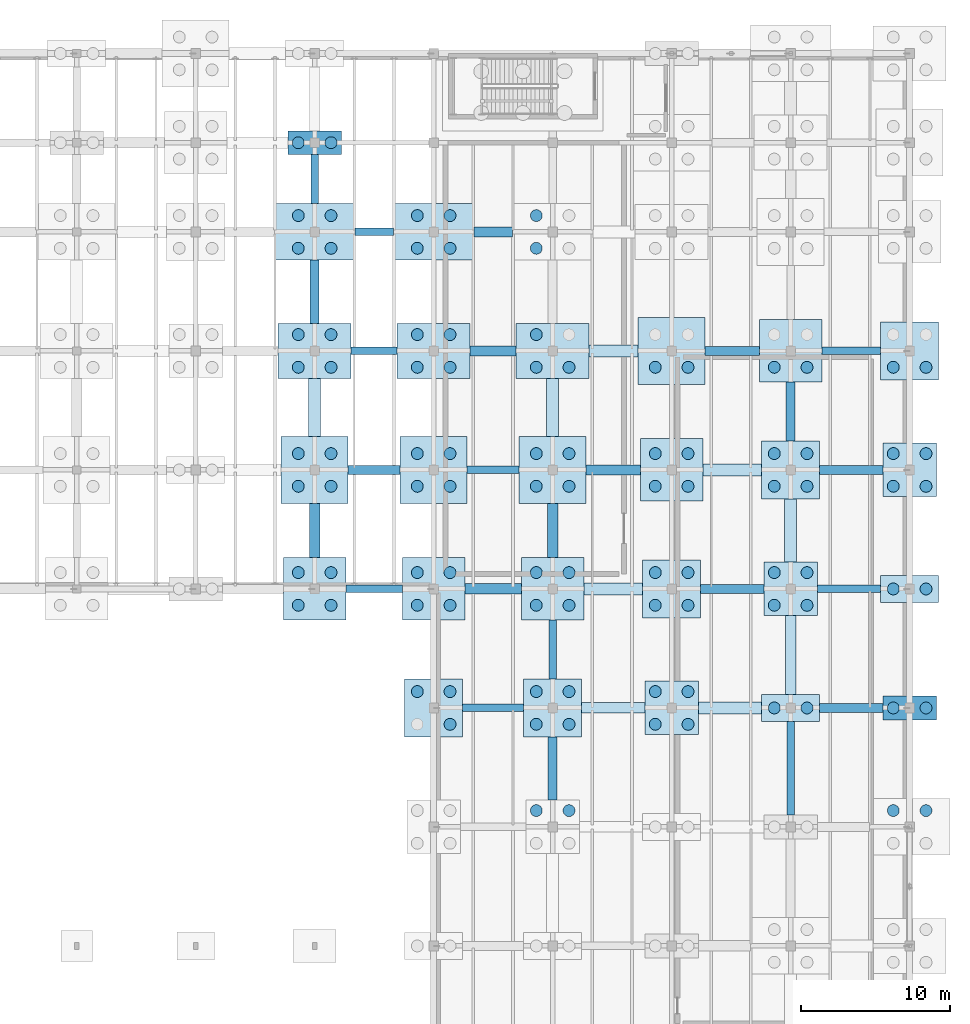
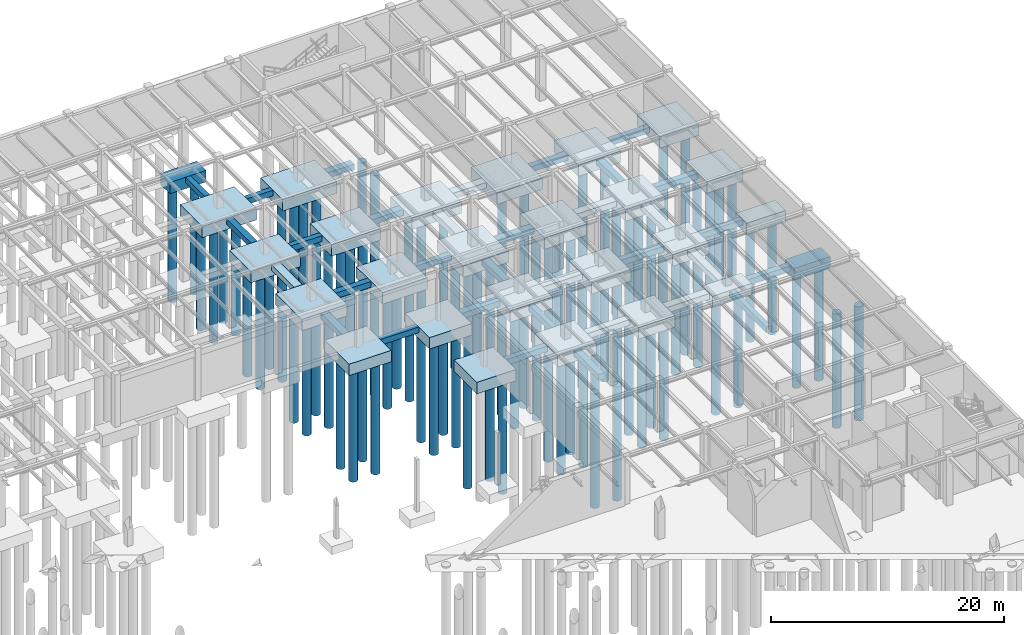
# One storey, part 9 of 71: 94 piles, 59 footings.
"""IFC4 building model written with IfcOpenShell, lengths in metres."""

from ifc_helpers import new_model, si_unit, direction, frame, origin, origin_2d, place, context, subcontext, project, spatial, rectangle, circle, extrude, material, material_profile, profile_set, type_object, element, save


model = new_model("IFC4")

# Units and contexts
model_context = context("Model", 3, precision=1e-05, world=origin(), true_north=direction((0.0, 1.0)))
body_context = subcontext(model_context, "Body", "Model", "MODEL_VIEW")
ifc_project = project(units=[si_unit("LENGTHUNIT", "METRE"), si_unit("AREAUNIT", "SQUARE_METRE"), si_unit("VOLUMEUNIT", "CUBIC_METRE"), si_unit("PLANEANGLEUNIT", "RADIAN"), si_unit("MASSUNIT", "GRAM", prefix="KILO")], contexts=[model_context])

# Site, building, storey
site_placement = place(None, origin())
site = spatial("IfcSite", under=ifc_project, at=site_placement, CompositionType="ELEMENT")
building_placement = place(site_placement, origin())
building = spatial("IfcBuilding", under=site, at=building_placement, Name="Sundkrona Museum", CompositionType="ELEMENT")
storey_placement = place(building_placement, frame((0.0, 0.0, -5.39990234375)))
storey = spatial("IfcBuildingStorey", under=building, at=storey_placement, Name="B1", CompositionType="ELEMENT", Elevation=-5.39990234375)

# Footings
ifc_material = material(Name="Concrete C40/50", Category="concrete")
footing_type_1 = type_object("IfcFootingType", Name="GB-500", PredefinedType="FOOTING_BEAM", material=ifc_material)
footing_1_placement = place(storey_placement, frame((140.0, 70.0, -0.7001953125), z_axis=(0.0, 0.0, 1.0), x_axis=(1.0, 0.0, 0.0)))
element("IfcFooting", 1, at=footing_1_placement, inside=storey, type_object=footing_type_1, Name="Ground Tie Beam GB-X-086", PredefinedType="FOOTING_BEAM", context=body_context, shape_type="SweptSolid", body=[
    extrude(rectangle(XDim=4.10009765625, YDim=0.5, at=origin_2d()), origin(), (0.0, 0.0, 1.0), 0.60009765625),
])
footing_2_placement = place(storey_placement, frame((132.0, 78.0, -0.7001953125), z_axis=(0.0, 0.0, 1.0), x_axis=(1.0, 0.0, 0.0)))
element("IfcFooting", 2, at=footing_2_placement, inside=storey, type_object=footing_type_1, Name="Ground Tie Beam GB-X-106", PredefinedType="FOOTING_BEAM", context=body_context, shape_type="SweptSolid", body=[
    extrude(rectangle(XDim=3.800048828125, YDim=0.5, at=origin_2d()), origin(), (0.0, 0.0, 1.0), 0.60009765625),
])
footing_3_placement = place(storey_placement, frame((163.925048828125, 78.0, -0.7001953125), z_axis=(0.0, 0.0, 1.0), x_axis=(1.0, 0.0, 0.0)))
element("IfcFooting", 3, at=footing_3_placement, inside=storey, type_object=footing_type_1, Name="Ground Tie Beam GB-X-110", PredefinedType="FOOTING_BEAM", context=body_context, shape_type="SweptSolid", body=[
    extrude(rectangle(XDim=4.25, YDim=0.5, at=origin_2d()), origin(), (0.0, 0.0, 1.0), 0.60009765625),
])
footing_4_placement = place(storey_placement, frame((140.0, 86.0, -0.7001953125), z_axis=(0.0, 0.0, 1.0), x_axis=(1.0, 0.0, 0.0)))
element("IfcFooting", 4, at=footing_4_placement, inside=storey, type_object=footing_type_1, Name="Ground Tie Beam GB-X-126", PredefinedType="FOOTING_BEAM", context=body_context, shape_type="SweptSolid", body=[
    extrude(rectangle(XDim=3.5, YDim=0.5, at=origin_2d()), origin(), (0.0, 0.0, 1.0), 0.60009765625),
])
footing_5_placement = place(storey_placement, frame((132.0, 94.0, -0.7001953125), z_axis=(0.0, 0.0, 1.0), x_axis=(1.0, 0.0, 0.0)))
element("IfcFooting", 5, at=footing_5_placement, inside=storey, type_object=footing_type_1, Name="Ground Tie Beam GB-X-146", PredefinedType="FOOTING_BEAM", context=body_context, shape_type="SweptSolid", body=[
    extrude(rectangle(XDim=3.10009765625, YDim=0.5, at=origin_2d()), origin(), (0.0, 0.0, 1.0), 0.60009765625),
])
footing_6_placement = place(storey_placement, frame((164.074951171875, 94.0, -0.7001953125), z_axis=(0.0, 0.0, 1.0), x_axis=(1.0, 0.0, 0.0)))
element("IfcFooting", 6, at=footing_6_placement, inside=storey, type_object=footing_type_1, Name="Ground Tie Beam GB-X-150", PredefinedType="FOOTING_BEAM", context=body_context, shape_type="SweptSolid", body=[
    extrude(rectangle(XDim=3.949951171875, YDim=0.5, at=origin_2d()), origin(), (0.0, 0.0, 1.0), 0.60009765625),
])
footing_7_placement = place(storey_placement, frame((132.0, 102.0, -0.7001953125), z_axis=(0.0, 0.0, 1.0), x_axis=(1.0, 0.0, 0.0)))
element("IfcFooting", 7, at=footing_7_placement, inside=storey, type_object=footing_type_1, Name="Ground Tie Beam GB-X-166", PredefinedType="FOOTING_BEAM", context=body_context, shape_type="SweptSolid", body=[
    extrude(rectangle(XDim=2.60009765625, YDim=0.5, at=origin_2d()), origin(), (0.0, 0.0, 1.0), 0.60009765625),
])
footing_8_placement = place(storey_placement, frame((128.0, 105.550048828125, -0.7001953125), z_axis=(0.0, 0.0, 1.0), x_axis=(0.0, 1.0, 0.0)))
element("IfcFooting", 8, at=footing_8_placement, inside=storey, type_object=footing_type_1, Name="Ground Tie Beam GB-Y-266", PredefinedType="FOOTING_BEAM", context=body_context, shape_type="SweptSolid", body=[
    extrude(rectangle(XDim=3.300048828125, YDim=0.5, at=origin_2d()), origin(), (0.0, 0.0, 1.0), 0.60009765625),
])
footing_9_placement = place(storey_placement, frame((144.0, 73.925048828125, -0.7001953125), z_axis=(0.0, 0.0, 1.0), x_axis=(0.0, 1.0, 0.0)))
element("IfcFooting", 9, at=footing_9_placement, inside=storey, type_object=footing_type_1, Name="Ground Tie Beam GB-Y-274", PredefinedType="FOOTING_BEAM", context=body_context, shape_type="SweptSolid", body=[
    extrude(rectangle(XDim=3.949951171875, YDim=0.5, at=origin_2d()), origin(), (0.0, 0.0, 1.0), 0.60009765625),
])
footing_10_placement = place(storey_placement, frame((160.0, 65.949951171875, -0.7001953125), z_axis=(0.0, 0.0, 1.0), x_axis=(0.0, 1.0, 0.0)))
element("IfcFooting", 10, at=footing_10_placement, inside=storey, type_object=footing_type_1, Name="Ground Tie Beam GB-Y-286", PredefinedType="FOOTING_BEAM", context=body_context, shape_type="SweptSolid", body=[
    extrude(rectangle(XDim=6.300048828125, YDim=0.5, at=origin_2d()), origin(), (0.0, 0.0, 1.0), 0.60009765625),
])
footing_type_2 = type_object("IfcFootingType", Name="GB-600", PredefinedType="FOOTING_BEAM", material=ifc_material)
for number, where, z_axis, x_axis, name in (
    (11, (164.074951171875, 70.0, -0.7001953125), (0.0, 0.0, 1.0), (1.0, 0.0, 0.0), "Ground Tie Beam GB-X-089"),
    (12, (156.074951171875, 78.0, -0.7001953125), (0.0, 0.0, 1.0), (1.0, 0.0, 0.0), "Ground Tie Beam GB-X-109"),
):
    element("IfcFooting", number, at=place(storey_placement, frame(where, z_axis=z_axis, x_axis=x_axis)), inside=storey, type_object=footing_type_2, Name=name, PredefinedType="FOOTING_BEAM", context=body_context, shape_type="SweptSolid", body=[
        extrude(rectangle(XDim=4.25, YDim=0.60009765625, at=origin_2d()), origin(), (0.0, 0.0, 1.0), 0.60009765625),
    ])
footing_11_placement = place(storey_placement, frame((132.0, 86.0, -0.7001953125), z_axis=(0.0, 0.0, 1.0), x_axis=(1.0, 0.0, 0.0)))
element("IfcFooting", 13, at=footing_11_placement, inside=storey, type_object=footing_type_2, Name="Ground Tie Beam GB-X-125", PredefinedType="FOOTING_BEAM", context=body_context, shape_type="SweptSolid", body=[
    extrude(rectangle(XDim=3.5, YDim=0.60009765625, at=origin_2d()), origin(), (0.0, 0.0, 1.0), 0.60009765625),
])
footing_12_placement = place(storey_placement, frame((164.074951171875, 86.0, -0.7001953125), z_axis=(0.0, 0.0, 1.0), x_axis=(1.0, 0.0, 0.0)))
element("IfcFooting", 14, at=footing_12_placement, inside=storey, type_object=footing_type_2, Name="Ground Tie Beam GB-X-129", PredefinedType="FOOTING_BEAM", context=body_context, shape_type="SweptSolid", body=[
    extrude(rectangle(XDim=4.25, YDim=0.60009765625, at=origin_2d()), origin(), (0.0, 0.0, 1.0), 0.60009765625),
])
footing_13_placement = place(storey_placement, frame((156.074951171875, 94.0, -0.7001953125), z_axis=(0.0, 0.0, 1.0), x_axis=(1.0, 0.0, 0.0)))
element("IfcFooting", 15, at=footing_13_placement, inside=storey, type_object=footing_type_2, Name="Ground Tie Beam GB-X-149", PredefinedType="FOOTING_BEAM", context=body_context, shape_type="SweptSolid", body=[
    extrude(rectangle(XDim=3.64990234375, YDim=0.60009765625, at=origin_2d()), origin(), (0.0, 0.0, 1.0), 0.60009765625),
])
for number, where, z_axis, x_axis, name in (
    (16, (128.0, 97.97509765625, -0.7001953125), (0.0, 0.0, 1.0), (0.0, 1.0, 0.0), "Ground Tie Beam GB-Y-265"),
    (17, (144.0, 65.925048828125, -0.7001953125), (0.0, 0.0, 1.0), (0.0, 1.0, 0.0), "Ground Tie Beam GB-Y-273"),
):
    element("IfcFooting", number, at=place(storey_placement, frame(where, z_axis=z_axis, x_axis=x_axis)), inside=storey, type_object=footing_type_2, Name=name, PredefinedType="FOOTING_BEAM", context=body_context, shape_type="SweptSolid", body=[
        extrude(rectangle(XDim=4.25, YDim=0.60009765625, at=origin_2d()), origin(), (0.0, 0.0, 1.0), 0.60009765625),
    ])
footing_14_placement = place(storey_placement, frame((160.0, 89.925048828125, -0.7001953125), z_axis=(0.0, 0.0, 1.0), x_axis=(0.0, 1.0, 0.0)))
element("IfcFooting", 18, at=footing_14_placement, inside=storey, type_object=footing_type_2, Name="Ground Tie Beam GB-Y-289", PredefinedType="FOOTING_BEAM", context=body_context, shape_type="SweptSolid", body=[
    extrude(rectangle(XDim=3.949951171875, YDim=0.60009765625, at=origin_2d()), origin(), (0.0, 0.0, 1.0), 0.60009765625),
])
footing_type_3 = type_object("IfcFootingType", Name="GB-700", PredefinedType="FOOTING_BEAM", material=ifc_material)
footing_15_placement = place(storey_placement, frame((148.074951171875, 70.0, -0.7001953125), z_axis=(0.0, 0.0, 1.0), x_axis=(1.0, 0.0, 0.0)))
element("IfcFooting", 19, at=footing_15_placement, inside=storey, type_object=footing_type_3, Name="Ground Tie Beam GB-X-087", PredefinedType="FOOTING_BEAM", context=body_context, shape_type="SweptSolid", body=[
    extrude(rectangle(XDim=4.25, YDim=0.699951171875, at=origin_2d()), origin(), (0.0, 0.0, 1.0), 0.60009765625),
])
footing_16_placement = place(storey_placement, frame((140.0, 78.0, -0.7001953125), z_axis=(0.0, 0.0, 1.0), x_axis=(1.0, 0.0, 0.0)))
element("IfcFooting", 20, at=footing_16_placement, inside=storey, type_object=footing_type_3, Name="Ground Tie Beam GB-X-107", PredefinedType="FOOTING_BEAM", context=body_context, shape_type="SweptSolid", body=[
    extrude(rectangle(XDim=3.800048828125, YDim=0.699951171875, at=origin_2d()), origin(), (0.0, 0.0, 1.0), 0.60009765625),
])
footing_17_placement = place(storey_placement, frame((148.074951171875, 86.0, -0.7001953125), z_axis=(0.0, 0.0, 1.0), x_axis=(1.0, 0.0, 0.0)))
element("IfcFooting", 21, at=footing_17_placement, inside=storey, type_object=footing_type_3, Name="Ground Tie Beam GB-X-127", PredefinedType="FOOTING_BEAM", context=body_context, shape_type="SweptSolid", body=[
    extrude(rectangle(XDim=3.64990234375, YDim=0.699951171875, at=origin_2d()), origin(), (0.0, 0.0, 1.0), 0.60009765625),
])
footing_18_placement = place(storey_placement, frame((140.0, 94.0, -0.7001953125), z_axis=(0.0, 0.0, 1.0), x_axis=(1.0, 0.0, 0.0)))
element("IfcFooting", 22, at=footing_18_placement, inside=storey, type_object=footing_type_3, Name="Ground Tie Beam GB-X-147", PredefinedType="FOOTING_BEAM", context=body_context, shape_type="SweptSolid", body=[
    extrude(rectangle(XDim=3.10009765625, YDim=0.699951171875, at=origin_2d()), origin(), (0.0, 0.0, 1.0), 0.60009765625),
])
footing_19_placement = place(storey_placement, frame((140.0, 102.0, -0.7001953125), z_axis=(0.0, 0.0, 1.0), x_axis=(1.0, 0.0, 0.0)))
element("IfcFooting", 23, at=footing_19_placement, inside=storey, type_object=footing_type_3, Name="Ground Tie Beam GB-X-167", PredefinedType="FOOTING_BEAM", context=body_context, shape_type="SweptSolid", body=[
    extrude(rectangle(XDim=2.60009765625, YDim=0.699951171875, at=origin_2d()), origin(), (0.0, 0.0, 1.0), 0.60009765625),
])
for number, where, z_axis, x_axis, name in (
    (24, (128.0, 81.925048828125, -0.7001953125), (0.0, 0.0, 1.0), (0.0, 1.0, 0.0), "Ground Tie Beam GB-Y-263"),
    (25, (144.0, 81.925048828125, -0.7001953125), (0.0, 0.0, 1.0), (0.0, 1.0, 0.0), "Ground Tie Beam GB-Y-275"),
):
    element("IfcFooting", number, at=place(storey_placement, frame(where, z_axis=z_axis, x_axis=x_axis)), inside=storey, type_object=footing_type_3, Name=name, PredefinedType="FOOTING_BEAM", context=body_context, shape_type="SweptSolid", body=[
        extrude(rectangle(XDim=3.64990234375, YDim=0.699951171875, at=origin_2d()), origin(), (0.0, 0.0, 1.0), 0.60009765625),
    ])
footing_20_placement = place(storey_placement, frame((160.0, 73.550048828125, -0.7001953125), z_axis=(0.0, 0.0, 1.0), x_axis=(0.0, 1.0, 0.0)))
element("IfcFooting", 26, at=footing_20_placement, inside=storey, type_object=footing_type_3, Name="Ground Tie Beam GB-Y-287", PredefinedType="FOOTING_BEAM", context=body_context, shape_type="SweptSolid", body=[
    extrude(rectangle(XDim=5.300048828125, YDim=0.699951171875, at=origin_2d()), origin(), (0.0, 0.0, 1.0), 0.60009765625),
])
footing_type_4 = type_object("IfcFootingType", Name="GB-800", PredefinedType="FOOTING_BEAM", material=ifc_material)
footing_21_placement = place(storey_placement, frame((155.925048828125, 70.0, -0.7001953125), z_axis=(0.0, 0.0, 1.0), x_axis=(1.0, 0.0, 0.0)))
element("IfcFooting", 27, at=footing_21_placement, inside=storey, type_object=footing_type_4, Name="Ground Tie Beam GB-X-088", PredefinedType="FOOTING_BEAM", context=body_context, shape_type="SweptSolid", body=[
    extrude(rectangle(XDim=4.25, YDim=0.800048828125, at=origin_2d()), origin(), (0.0, 0.0, 1.0), 0.60009765625),
])
for number, where, z_axis, x_axis, name in (
    (28, (148.074951171875, 78.0, -0.7001953125), (0.0, 0.0, 1.0), (1.0, 0.0, 0.0), "Ground Tie Beam GB-X-108"),
    (29, (156.074951171875, 86.0, -0.7001953125), (0.0, 0.0, 1.0), (1.0, 0.0, 0.0), "Ground Tie Beam GB-X-128"),
):
    element("IfcFooting", number, at=place(storey_placement, frame(where, z_axis=z_axis, x_axis=x_axis)), inside=storey, type_object=footing_type_4, Name=name, PredefinedType="FOOTING_BEAM", context=body_context, shape_type="SweptSolid", body=[
        extrude(rectangle(XDim=3.949951171875, YDim=0.800048828125, at=origin_2d()), origin(), (0.0, 0.0, 1.0), 0.60009765625),
    ])
footing_22_placement = place(storey_placement, frame((148.10009765625, 94.0, -0.7001953125), z_axis=(0.0, 0.0, 1.0), x_axis=(1.0, 0.0, 0.0)))
element("IfcFooting", 30, at=footing_22_placement, inside=storey, type_object=footing_type_4, Name="Ground Tie Beam GB-X-148", PredefinedType="FOOTING_BEAM", context=body_context, shape_type="SweptSolid", body=[
    extrude(rectangle(XDim=3.300048828125, YDim=0.800048828125, at=origin_2d()), origin(), (0.0, 0.0, 1.0), 0.60009765625),
])
for number, where, z_axis, x_axis, name in (
    (31, (128.0, 90.199951171875, -0.7001953125), (0.0, 0.0, 1.0), (0.0, 1.0, 0.0), "Ground Tie Beam GB-Y-264"),
    (32, (144.0, 90.199951171875, -0.7001953125), (0.0, 0.0, 1.0), (0.0, 1.0, 0.0), "Ground Tie Beam GB-Y-276"),
):
    element("IfcFooting", number, at=place(storey_placement, frame(where, z_axis=z_axis, x_axis=x_axis)), inside=storey, type_object=footing_type_4, Name=name, PredefinedType="FOOTING_BEAM", context=body_context, shape_type="SweptSolid", body=[
        extrude(rectangle(XDim=3.89990234375, YDim=0.800048828125, at=origin_2d()), origin(), (0.0, 0.0, 1.0), 0.60009765625),
    ])
footing_23_placement = place(storey_placement, frame((160.0, 81.925048828125, -0.7001953125), z_axis=(0.0, 0.0, 1.0), x_axis=(0.0, 1.0, 0.0)))
element("IfcFooting", 33, at=footing_23_placement, inside=storey, type_object=footing_type_4, Name="Ground Tie Beam GB-Y-288", PredefinedType="FOOTING_BEAM", context=body_context, shape_type="SweptSolid", body=[
    extrude(rectangle(XDim=4.25, YDim=0.800048828125, at=origin_2d()), origin(), (0.0, 0.0, 1.0), 0.60009765625),
])

# Piles
ifc_material_profile = material_profile(ifc_material, circle(Radius=0.39990234375, at=origin_2d()), Name="PILE D800")
ifc_profile_set = profile_set([ifc_material_profile], Name="Concrete C40/50")
pile_type = type_object("IfcPileType", Name="P-800", PredefinedType="BORED", material=ifc_profile_set)
for number, where, z_axis, x_axis, name in (
    (34, (126.89990234375, 76.89990234375, -1.150146484375), (0.0, 0.0, -1.0), (1.0, 0.0, 0.0), "Bored Pile FC-L-17-P01"),
    (35, (129.10009765625, 76.89990234375, -1.150146484375), (0.0, 0.0, -1.0), (1.0, 0.0, 0.0), "Bored Pile FC-L-17-P02"),
    (36, (126.89990234375, 79.10009765625, -1.150146484375), (0.0, 0.0, -1.0), (1.0, 0.0, 0.0), "Bored Pile FC-L-17-P03"),
    (37, (129.10009765625, 79.10009765625, -1.150146484375), (0.0, 0.0, -1.0), (1.0, 0.0, 0.0), "Bored Pile FC-L-17-P04"),
    (38, (126.89990234375, 84.89990234375, -1.150146484375), (0.0, 0.0, -1.0), (1.0, 0.0, 0.0), "Bored Pile FC-M-17-P01"),
    (39, (129.10009765625, 84.89990234375, -1.150146484375), (0.0, 0.0, -1.0), (1.0, 0.0, 0.0), "Bored Pile FC-M-17-P02"),
    (40, (126.89990234375, 87.10009765625, -1.150146484375), (0.0, 0.0, -1.0), (1.0, 0.0, 0.0), "Bored Pile FC-M-17-P03"),
    (41, (129.10009765625, 87.10009765625, -1.150146484375), (0.0, 0.0, -1.0), (1.0, 0.0, 0.0), "Bored Pile FC-M-17-P04"),
    (42, (126.89990234375, 92.89990234375, -1.150146484375), (0.0, 0.0, -1.0), (1.0, 0.0, 0.0), "Bored Pile FC-N-17-P01"),
    (43, (129.10009765625, 92.89990234375, -1.150146484375), (0.0, 0.0, -1.0), (1.0, 0.0, 0.0), "Bored Pile FC-N-17-P02"),
    (44, (126.89990234375, 95.10009765625, -1.150146484375), (0.0, 0.0, -1.0), (1.0, 0.0, 0.0), "Bored Pile FC-N-17-P03"),
    (45, (129.10009765625, 95.10009765625, -1.150146484375), (0.0, 0.0, -1.0), (1.0, 0.0, 0.0), "Bored Pile FC-N-17-P04"),
    (46, (126.89990234375, 100.89990234375, -1.150146484375), (0.0, 0.0, -1.0), (1.0, 0.0, 0.0), "Bored Pile FC-P-17-P01"),
    (47, (129.10009765625, 100.89990234375, -1.150146484375), (0.0, 0.0, -1.0), (1.0, 0.0, 0.0), "Bored Pile FC-P-17-P02"),
    (48, (126.89990234375, 103.10009765625, -1.150146484375), (0.0, 0.0, -1.0), (1.0, 0.0, 0.0), "Bored Pile FC-P-17-P03"),
    (49, (129.10009765625, 103.10009765625, -1.150146484375), (0.0, 0.0, -1.0), (1.0, 0.0, 0.0), "Bored Pile FC-P-17-P04"),
    (50, (126.89990234375, 108.0, -1.150146484375), (0.0, 0.0, -1.0), (1.0, 0.0, 0.0), "Bored Pile FC-Q-17-P01"),
    (51, (129.10009765625, 108.0, -1.150146484375), (0.0, 0.0, -1.0), (1.0, 0.0, 0.0), "Bored Pile FC-Q-17-P02"),
    (52, (137.10009765625, 68.89990234375, -1.150146484375), (0.0, 0.0, -1.0), (1.0, 0.0, 0.0), "Bored Pile FC-K-18-P02"),
    (53, (134.89990234375, 71.10009765625, -1.150146484375), (0.0, 0.0, -1.0), (1.0, 0.0, 0.0), "Bored Pile FC-K-18-P03"),
    (54, (137.10009765625, 71.10009765625, -1.150146484375), (0.0, 0.0, -1.0), (1.0, 0.0, 0.0), "Bored Pile FC-K-18-P04"),
    (55, (134.89990234375, 76.89990234375, -1.150146484375), (0.0, 0.0, -1.0), (1.0, 0.0, 0.0), "Bored Pile FC-L-18-P01"),
    (56, (137.10009765625, 76.89990234375, -1.150146484375), (0.0, 0.0, -1.0), (1.0, 0.0, 0.0), "Bored Pile FC-L-18-P02"),
    (57, (134.89990234375, 79.10009765625, -1.150146484375), (0.0, 0.0, -1.0), (1.0, 0.0, 0.0), "Bored Pile FC-L-18-P03"),
    (58, (137.10009765625, 79.10009765625, -1.150146484375), (0.0, 0.0, -1.0), (1.0, 0.0, 0.0), "Bored Pile FC-L-18-P04"),
    (59, (134.89990234375, 84.89990234375, -1.150146484375), (0.0, 0.0, -1.0), (1.0, 0.0, 0.0), "Bored Pile FC-M-18-P01"),
    (60, (137.10009765625, 84.89990234375, -1.150146484375), (0.0, 0.0, -1.0), (1.0, 0.0, 0.0), "Bored Pile FC-M-18-P02"),
    (61, (134.89990234375, 87.10009765625, -1.150146484375), (0.0, 0.0, -1.0), (1.0, 0.0, 0.0), "Bored Pile FC-M-18-P03"),
    (62, (137.10009765625, 87.10009765625, -1.150146484375), (0.0, 0.0, -1.0), (1.0, 0.0, 0.0), "Bored Pile FC-M-18-P04"),
    (63, (134.89990234375, 92.89990234375, -1.150146484375), (0.0, 0.0, -1.0), (1.0, 0.0, 0.0), "Bored Pile FC-N-18-P01"),
    (64, (137.10009765625, 92.89990234375, -1.150146484375), (0.0, 0.0, -1.0), (1.0, 0.0, 0.0), "Bored Pile FC-N-18-P02"),
    (65, (134.89990234375, 95.10009765625, -1.150146484375), (0.0, 0.0, -1.0), (1.0, 0.0, 0.0), "Bored Pile FC-N-18-P03"),
    (66, (137.10009765625, 95.10009765625, -1.150146484375), (0.0, 0.0, -1.0), (1.0, 0.0, 0.0), "Bored Pile FC-N-18-P04"),
    (67, (134.89990234375, 100.89990234375, -1.150146484375), (0.0, 0.0, -1.0), (1.0, 0.0, 0.0), "Bored Pile FC-P-18-P01"),
    (68, (137.10009765625, 100.89990234375, -1.150146484375), (0.0, 0.0, -1.0), (1.0, 0.0, 0.0), "Bored Pile FC-P-18-P02"),
    (69, (134.89990234375, 103.10009765625, -1.150146484375), (0.0, 0.0, -1.0), (1.0, 0.0, 0.0), "Bored Pile FC-P-18-P03"),
    (70, (137.10009765625, 103.10009765625, -1.150146484375), (0.0, 0.0, -1.0), (1.0, 0.0, 0.0), "Bored Pile FC-P-18-P04"),
    (71, (142.89990234375, 63.10009765625, -1.150146484375), (0.0, 0.0, -1.0), (1.0, 0.0, 0.0), "Bored Pile FC-J-19-P03"),
    (72, (145.10009765625, 63.10009765625, -1.150146484375), (0.0, 0.0, -1.0), (1.0, 0.0, 0.0), "Bored Pile FC-J-19-P04"),
    (73, (142.89990234375, 68.89990234375, -1.150146484375), (0.0, 0.0, -1.0), (1.0, 0.0, 0.0), "Bored Pile FC-K-19-P01"),
    (74, (145.10009765625, 68.89990234375, -1.150146484375), (0.0, 0.0, -1.0), (1.0, 0.0, 0.0), "Bored Pile FC-K-19-P02"),
    (75, (142.89990234375, 71.10009765625, -1.150146484375), (0.0, 0.0, -1.0), (1.0, 0.0, 0.0), "Bored Pile FC-K-19-P03"),
    (76, (145.10009765625, 71.10009765625, -1.150146484375), (0.0, 0.0, -1.0), (1.0, 0.0, 0.0), "Bored Pile FC-K-19-P04"),
    (77, (142.89990234375, 76.89990234375, -1.150146484375), (0.0, 0.0, -1.0), (1.0, 0.0, 0.0), "Bored Pile FC-L-19-P01"),
    (78, (145.10009765625, 76.89990234375, -1.150146484375), (0.0, 0.0, -1.0), (1.0, 0.0, 0.0), "Bored Pile FC-L-19-P02"),
    (79, (142.89990234375, 79.10009765625, -1.150146484375), (0.0, 0.0, -1.0), (1.0, 0.0, 0.0), "Bored Pile FC-L-19-P03"),
    (80, (145.10009765625, 79.10009765625, -1.150146484375), (0.0, 0.0, -1.0), (1.0, 0.0, 0.0), "Bored Pile FC-L-19-P04"),
    (81, (142.89990234375, 84.89990234375, -1.150146484375), (0.0, 0.0, -1.0), (1.0, 0.0, 0.0), "Bored Pile FC-M-19-P01"),
    (82, (145.10009765625, 84.89990234375, -1.150146484375), (0.0, 0.0, -1.0), (1.0, 0.0, 0.0), "Bored Pile FC-M-19-P02"),
    (83, (142.89990234375, 87.10009765625, -1.150146484375), (0.0, 0.0, -1.0), (1.0, 0.0, 0.0), "Bored Pile FC-M-19-P03"),
    (84, (145.10009765625, 87.10009765625, -1.150146484375), (0.0, 0.0, -1.0), (1.0, 0.0, 0.0), "Bored Pile FC-M-19-P04"),
    (85, (142.89990234375, 92.89990234375, -1.150146484375), (0.0, 0.0, -1.0), (1.0, 0.0, 0.0), "Bored Pile FC-N-19-P01"),
    (86, (145.10009765625, 92.89990234375, -1.150146484375), (0.0, 0.0, -1.0), (1.0, 0.0, 0.0), "Bored Pile FC-N-19-P02"),
    (87, (142.89990234375, 95.10009765625, -1.150146484375), (0.0, 0.0, -1.0), (1.0, 0.0, 0.0), "Bored Pile FC-N-19-P03"),
    (88, (142.89990234375, 100.89990234375, -1.150146484375), (0.0, 0.0, -1.0), (1.0, 0.0, 0.0), "Bored Pile FC-P-19-P01"),
    (89, (142.89990234375, 103.10009765625, -1.150146484375), (0.0, 0.0, -1.0), (1.0, 0.0, 0.0), "Bored Pile FC-P-19-P03"),
    (90, (150.89990234375, 68.89990234375, -1.150146484375), (0.0, 0.0, -1.0), (1.0, 0.0, 0.0), "Bored Pile FC-K-20-P01"),
    (91, (153.10009765625, 68.89990234375, -1.150146484375), (0.0, 0.0, -1.0), (1.0, 0.0, 0.0), "Bored Pile FC-K-20-P02"),
    (92, (150.89990234375, 71.10009765625, -1.150146484375), (0.0, 0.0, -1.0), (1.0, 0.0, 0.0), "Bored Pile FC-K-20-P03"),
    (93, (153.10009765625, 71.10009765625, -1.150146484375), (0.0, 0.0, -1.0), (1.0, 0.0, 0.0), "Bored Pile FC-K-20-P04"),
    (94, (150.89990234375, 76.89990234375, -1.150146484375), (0.0, 0.0, -1.0), (1.0, 0.0, 0.0), "Bored Pile FC-L-20-P01"),
    (95, (153.10009765625, 76.89990234375, -1.150146484375), (0.0, 0.0, -1.0), (1.0, 0.0, 0.0), "Bored Pile FC-L-20-P02"),
    (96, (150.89990234375, 79.10009765625, -1.150146484375), (0.0, 0.0, -1.0), (1.0, 0.0, 0.0), "Bored Pile FC-L-20-P03"),
    (97, (153.10009765625, 79.10009765625, -1.150146484375), (0.0, 0.0, -1.0), (1.0, 0.0, 0.0), "Bored Pile FC-L-20-P04"),
    (98, (150.89990234375, 84.89990234375, -1.150146484375), (0.0, 0.0, -1.0), (1.0, 0.0, 0.0), "Bored Pile FC-M-20-P01"),
    (99, (153.10009765625, 84.89990234375, -1.150146484375), (0.0, 0.0, -1.0), (1.0, 0.0, 0.0), "Bored Pile FC-M-20-P02"),
    (100, (150.89990234375, 87.10009765625, -1.150146484375), (0.0, 0.0, -1.0), (1.0, 0.0, 0.0), "Bored Pile FC-M-20-P03"),
    (101, (153.10009765625, 87.10009765625, -1.150146484375), (0.0, 0.0, -1.0), (1.0, 0.0, 0.0), "Bored Pile FC-M-20-P04"),
    (102, (150.89990234375, 92.89990234375, -1.150146484375), (0.0, 0.0, -1.0), (1.0, 0.0, 0.0), "Bored Pile FC-N-20-P01"),
    (103, (153.10009765625, 92.89990234375, -1.150146484375), (0.0, 0.0, -1.0), (1.0, 0.0, 0.0), "Bored Pile FC-N-20-P02"),
    (104, (158.89990234375, 70.0, -1.150146484375), (0.0, 0.0, -1.0), (1.0, 0.0, 0.0), "Bored Pile FC-K-21-P01"),
    (105, (161.10009765625, 70.0, -1.150146484375), (0.0, 0.0, -1.0), (1.0, 0.0, 0.0), "Bored Pile FC-K-21-P02"),
    (106, (158.89990234375, 76.89990234375, -1.150146484375), (0.0, 0.0, -1.0), (1.0, 0.0, 0.0), "Bored Pile FC-L-21-P01"),
    (107, (161.10009765625, 76.89990234375, -1.150146484375), (0.0, 0.0, -1.0), (1.0, 0.0, 0.0), "Bored Pile FC-L-21-P02"),
    (108, (158.89990234375, 79.10009765625, -1.150146484375), (0.0, 0.0, -1.0), (1.0, 0.0, 0.0), "Bored Pile FC-L-21-P03"),
    (109, (161.10009765625, 79.10009765625, -1.150146484375), (0.0, 0.0, -1.0), (1.0, 0.0, 0.0), "Bored Pile FC-L-21-P04"),
    (110, (158.89990234375, 84.89990234375, -1.150146484375), (0.0, 0.0, -1.0), (1.0, 0.0, 0.0), "Bored Pile FC-M-21-P01"),
    (111, (161.10009765625, 84.89990234375, -1.150146484375), (0.0, 0.0, -1.0), (1.0, 0.0, 0.0), "Bored Pile FC-M-21-P02"),
    (112, (158.89990234375, 87.10009765625, -1.150146484375), (0.0, 0.0, -1.0), (1.0, 0.0, 0.0), "Bored Pile FC-M-21-P03"),
    (113, (161.10009765625, 87.10009765625, -1.150146484375), (0.0, 0.0, -1.0), (1.0, 0.0, 0.0), "Bored Pile FC-M-21-P04"),
    (114, (158.89990234375, 92.89990234375, -1.150146484375), (0.0, 0.0, -1.0), (1.0, 0.0, 0.0), "Bored Pile FC-N-21-P01"),
    (115, (161.10009765625, 92.89990234375, -1.150146484375), (0.0, 0.0, -1.0), (1.0, 0.0, 0.0), "Bored Pile FC-N-21-P02"),
    (116, (166.89990234375, 63.10009765625, -1.150146484375), (0.0, 0.0, -1.0), (1.0, 0.0, 0.0), "Bored Pile FC-J-22-P03"),
    (117, (169.10009765625, 63.10009765625, -1.150146484375), (0.0, 0.0, -1.0), (1.0, 0.0, 0.0), "Bored Pile FC-J-22-P04"),
    (118, (166.89990234375, 70.0, -1.150146484375), (0.0, 0.0, -1.0), (1.0, 0.0, 0.0), "Bored Pile FC-K-22-P01"),
    (119, (169.10009765625, 70.0, -1.150146484375), (0.0, 0.0, -1.0), (1.0, 0.0, 0.0), "Bored Pile FC-K-22-P02"),
    (120, (166.89990234375, 78.0, -1.150146484375), (0.0, 0.0, -1.0), (1.0, 0.0, 0.0), "Bored Pile FC-L-22-P01"),
    (121, (169.10009765625, 78.0, -1.150146484375), (0.0, 0.0, -1.0), (1.0, 0.0, 0.0), "Bored Pile FC-L-22-P02"),
    (122, (166.89990234375, 84.89990234375, -1.150146484375), (0.0, 0.0, -1.0), (1.0, 0.0, 0.0), "Bored Pile FC-M-22-P01"),
    (123, (169.10009765625, 84.89990234375, -1.150146484375), (0.0, 0.0, -1.0), (1.0, 0.0, 0.0), "Bored Pile FC-M-22-P02"),
    (124, (166.89990234375, 87.10009765625, -1.150146484375), (0.0, 0.0, -1.0), (1.0, 0.0, 0.0), "Bored Pile FC-M-22-P03"),
    (125, (169.10009765625, 87.10009765625, -1.150146484375), (0.0, 0.0, -1.0), (1.0, 0.0, 0.0), "Bored Pile FC-M-22-P04"),
    (126, (166.89990234375, 92.89990234375, -1.150146484375), (0.0, 0.0, -1.0), (1.0, 0.0, 0.0), "Bored Pile FC-N-22-P01"),
    (127, (169.10009765625, 92.89990234375, -1.150146484375), (0.0, 0.0, -1.0), (1.0, 0.0, 0.0), "Bored Pile FC-N-22-P02"),
):
    element("IfcPile", number, at=place(storey_placement, frame(where, z_axis=z_axis, x_axis=x_axis)), inside=storey, type_object=pile_type, Name=name, PredefinedType="BORED", context=body_context, shape_type="SweptSolid", body=[
        extrude(circle(Radius=0.39990234375, at=origin_2d()), origin(), (0.0, 0.0, 1.0), 12.0),
    ])

# Footings
footing_type_5 = type_object("IfcFootingType", Name="PC-2A", PredefinedType="PILE_CAP", material=ifc_material)
for number, where, z_axis, x_axis, name in (
    (128, (128.0, 108.0, -1.30029296875), (0.0, 0.0, 1.0), (1.0, 0.0, 0.0), "Column Pile Cap Q/17"),
    (129, (168.0, 70.0, -1.30029296875), (0.0, 0.0, 1.0), (1.0, 0.0, 0.0), "Column Pile Cap K/22"),
):
    element("IfcFooting", number, at=place(storey_placement, frame(where, z_axis=z_axis, x_axis=x_axis)), inside=storey, type_object=footing_type_5, Name=name, PredefinedType="PILE_CAP", context=body_context, shape_type="SweptSolid", body=[
        extrude(rectangle(XDim=3.60009765625, YDim=1.60009765625, at=origin_2d()), origin(), (0.0, 0.0, 1.0), 1.199951171875),
    ])
footing_type_6 = type_object("IfcFootingType", Name="PC-2B", PredefinedType="PILE_CAP", material=ifc_material)
for number, where, z_axis, x_axis, name in (
    (130, (160.0, 70.0, -1.30029296875), (0.0, 0.0, 1.0), (1.0, 0.0, 0.0), "Column Pile Cap K/21"),
    (131, (168.0, 78.0, -1.30029296875), (0.0, 0.0, 1.0), (1.0, 0.0, 0.0), "Column Pile Cap L/22"),
):
    element("IfcFooting", number, at=place(storey_placement, frame(where, z_axis=z_axis, x_axis=x_axis)), inside=storey, type_object=footing_type_6, Name=name, PredefinedType="PILE_CAP", context=body_context, shape_type="SweptSolid", body=[
        extrude(rectangle(XDim=3.89990234375, YDim=1.800048828125, at=origin_2d()), origin(), (0.0, 0.0, 1.0), 1.199951171875),
    ])
footing_type_7 = type_object("IfcFootingType", Name="PC-4A", PredefinedType="PILE_CAP", material=ifc_material)
for number, where, z_axis, x_axis, name in (
    (132, (152.0, 70.0, -1.30029296875), (0.0, 0.0, 1.0), (1.0, 0.0, 0.0), "Column Pile Cap K/20"),
    (133, (160.0, 78.0, -1.30029296875), (0.0, 0.0, 1.0), (1.0, 0.0, 0.0), "Column Pile Cap L/21"),
    (134, (168.0, 86.0, -1.30029296875), (0.0, 0.0, 1.0), (1.0, 0.0, 0.0), "Column Pile Cap M/22"),
):
    element("IfcFooting", number, at=place(storey_placement, frame(where, z_axis=z_axis, x_axis=x_axis)), inside=storey, type_object=footing_type_7, Name=name, PredefinedType="PILE_CAP", context=body_context, shape_type="SweptSolid", body=[
        extrude(rectangle(XDim=3.60009765625, YDim=3.60009765625, at=origin_2d()), origin(), (0.0, 0.0, 1.0), 1.199951171875),
    ])
footing_type_8 = type_object("IfcFootingType", Name="PC-4B", PredefinedType="PILE_CAP", material=ifc_material)
for number, where, z_axis, x_axis, name in (
    (135, (136.0, 70.0, -1.30029296875), (0.0, 0.0, 1.0), (1.0, 0.0, 0.0), "Column Pile Cap K/18"),
    (136, (144.0, 70.0, -1.30029296875), (0.0, 0.0, 1.0), (1.0, 0.0, 0.0), "Column Pile Cap K/19"),
    (137, (152.0, 78.0, -1.30029296875), (0.0, 0.0, 1.0), (1.0, 0.0, 0.0), "Column Pile Cap L/20"),
    (138, (160.0, 86.0, -1.30029296875), (0.0, 0.0, 1.0), (1.0, 0.0, 0.0), "Column Pile Cap M/21"),
    (139, (168.0, 94.0, -1.30029296875), (0.0, 0.0, 1.0), (1.0, 0.0, 0.0), "Column Pile Cap N/22"),
):
    element("IfcFooting", number, at=place(storey_placement, frame(where, z_axis=z_axis, x_axis=x_axis)), inside=storey, type_object=footing_type_8, Name=name, PredefinedType="PILE_CAP", context=body_context, shape_type="SweptSolid", body=[
        extrude(rectangle(XDim=3.89990234375, YDim=3.89990234375, at=origin_2d()), origin(), (0.0, 0.0, 1.0), 1.199951171875),
    ])
footing_type_9 = type_object("IfcFootingType", Name="PC-4C", PredefinedType="PILE_CAP", material=ifc_material)
for number, where, z_axis, x_axis, name in (
    (140, (128.0, 78.0, -1.30029296875), (0.0, 0.0, 1.0), (1.0, 0.0, 0.0), "Column Pile Cap L/17"),
    (141, (136.0, 78.0, -1.30029296875), (0.0, 0.0, 1.0), (1.0, 0.0, 0.0), "Column Pile Cap L/18"),
    (142, (144.0, 78.0, -1.30029296875), (0.0, 0.0, 1.0), (1.0, 0.0, 0.0), "Column Pile Cap L/19"),
    (143, (152.0, 86.0, -1.30029296875), (0.0, 0.0, 1.0), (1.0, 0.0, 0.0), "Column Pile Cap M/20"),
    (144, (160.0, 94.0, -1.30029296875), (0.0, 0.0, 1.0), (1.0, 0.0, 0.0), "Column Pile Cap N/21"),
):
    element("IfcFooting", number, at=place(storey_placement, frame(where, z_axis=z_axis, x_axis=x_axis)), inside=storey, type_object=footing_type_9, Name=name, PredefinedType="PILE_CAP", context=body_context, shape_type="SweptSolid", body=[
        extrude(rectangle(XDim=4.199951171875, YDim=4.199951171875, at=origin_2d()), origin(), (0.0, 0.0, 1.0), 1.199951171875),
    ])
footing_type_10 = type_object("IfcFootingType", Name="PC-4D", PredefinedType="PILE_CAP", material=ifc_material)
for number, where, z_axis, x_axis, name in (
    (145, (128.0, 86.0, -1.30029296875), (0.0, 0.0, 1.0), (1.0, 0.0, 0.0), "Column Pile Cap M/17"),
    (146, (136.0, 86.0, -1.30029296875), (0.0, 0.0, 1.0), (1.0, 0.0, 0.0), "Column Pile Cap M/18"),
    (147, (144.0, 86.0, -1.30029296875), (0.0, 0.0, 1.0), (1.0, 0.0, 0.0), "Column Pile Cap M/19"),
    (148, (152.0, 94.0, -1.30029296875), (0.0, 0.0, 1.0), (1.0, 0.0, 0.0), "Column Pile Cap N/20"),
):
    element("IfcFooting", number, at=place(storey_placement, frame(where, z_axis=z_axis, x_axis=x_axis)), inside=storey, type_object=footing_type_10, Name=name, PredefinedType="PILE_CAP", context=body_context, shape_type="SweptSolid", body=[
        extrude(rectangle(XDim=4.5, YDim=4.5, at=origin_2d()), origin(), (0.0, 0.0, 1.0), 1.199951171875),
    ])
footing_type_11 = type_object("IfcFootingType", Name="PC-4E", PredefinedType="PILE_CAP", material=ifc_material)
for number, where, z_axis, x_axis, name in (
    (149, (128.0, 94.0, -1.30029296875), (0.0, 0.0, 1.0), (1.0, 0.0, 0.0), "Column Pile Cap N/17"),
    (150, (136.0, 94.0, -1.30029296875), (0.0, 0.0, 1.0), (1.0, 0.0, 0.0), "Column Pile Cap N/18"),
    (151, (144.0, 94.0, -1.30029296875), (0.0, 0.0, 1.0), (1.0, 0.0, 0.0), "Column Pile Cap N/19"),
):
    element("IfcFooting", number, at=place(storey_placement, frame(where, z_axis=z_axis, x_axis=x_axis)), inside=storey, type_object=footing_type_11, Name=name, PredefinedType="PILE_CAP", context=body_context, shape_type="SweptSolid", body=[
        extrude(rectangle(XDim=4.89990234375, YDim=3.699951171875, at=origin_2d()), origin(), (0.0, 0.0, 1.0), 1.199951171875),
    ])
footing_type_12 = type_object("IfcFootingType", Name="PC-4F", PredefinedType="PILE_CAP", material=ifc_material)
for number, where, z_axis, x_axis, name in (
    (152, (128.0, 102.0, -1.30029296875), (0.0, 0.0, 1.0), (1.0, 0.0, 0.0), "Column Pile Cap P/17"),
    (153, (136.0, 102.0, -1.30029296875), (0.0, 0.0, 1.0), (1.0, 0.0, 0.0), "Column Pile Cap P/18"),
):
    element("IfcFooting", number, at=place(storey_placement, frame(where, z_axis=z_axis, x_axis=x_axis)), inside=storey, type_object=footing_type_12, Name=name, PredefinedType="PILE_CAP", context=body_context, shape_type="SweptSolid", body=[
        extrude(rectangle(XDim=5.39990234375, YDim=3.800048828125, at=origin_2d()), origin(), (0.0, 0.0, 1.0), 1.199951171875),
    ])

save(model, "model.ifc")
